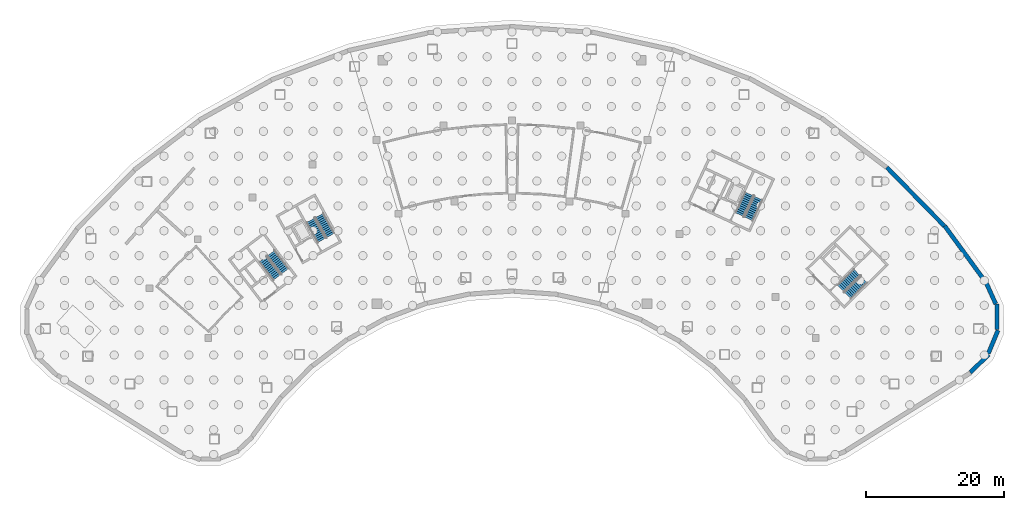
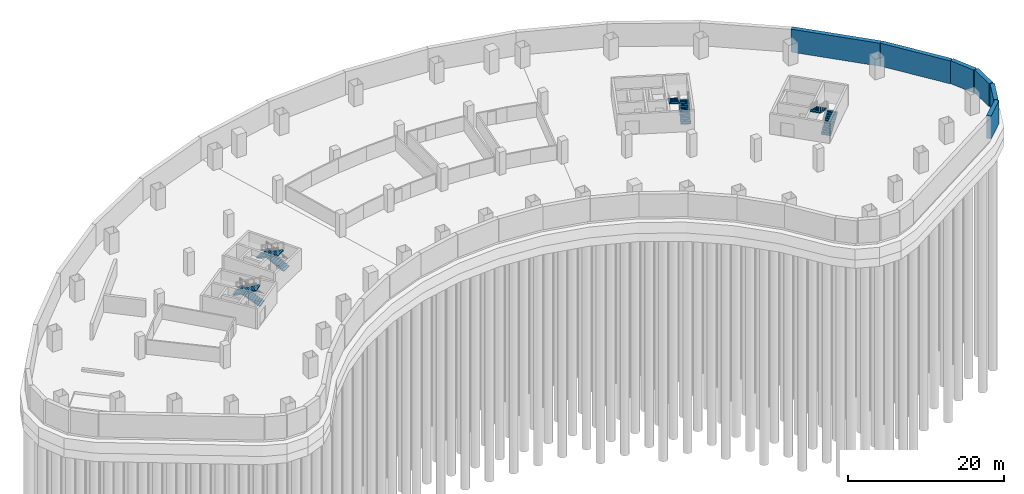
# One storey, part 8 of 10: 8 stair flights, 6 walls, 4 elements without a shape of their own.
"""IFC4 building model written with IfcOpenShell, lengths in metres."""

from ifc_helpers import new_model, si_unit, direction, frame, frame_2d, origin, place, context, subcontext, project, spatial, polyline, rectangle, outline, extrude, material, layer, layer_set, type_object, element, aggregate, save


model = new_model("IFC4")

# Units and contexts
model_context = context("Model", 3, precision=1e-05, world=origin(), true_north=direction((0.0, 1.0)))
body_context = subcontext(model_context, "Body", "Model", "MODEL_VIEW")
ifc_project = project(units=[si_unit("LENGTHUNIT", "METRE"), si_unit("AREAUNIT", "SQUARE_METRE"), si_unit("VOLUMEUNIT", "CUBIC_METRE"), si_unit("PLANEANGLEUNIT", "RADIAN"), si_unit("MASSUNIT", "GRAM", prefix="KILO")], contexts=[model_context])

# Site, building, storey
site_placement = place(None, origin())
site = spatial("IfcSite", under=ifc_project, at=site_placement, CompositionType="ELEMENT")
building_placement = place(site_placement, origin())
building = spatial("IfcBuilding", under=site, at=building_placement, Name="Tuul Gate Civic Tower", CompositionType="ELEMENT")
storey_placement = place(building_placement, frame((0.0, 0.0, -11.699951171875)))
storey = spatial("IfcBuildingStorey", under=building, at=storey_placement, Name="Basement 3", CompositionType="ELEMENT", Elevation=-11.699951171875)

# Walls
ifc_material_1 = material(Name="Concrete C40/50", Category="concrete")
ifc_layer = layer(ifc_material_1, 0.60009765625)
ifc_layer_set = layer_set([ifc_layer], Name="Concrete C40/50")
wall_type = type_object("IfcWallType", Name="STR-BASEMENT-WALL-600", PredefinedType="SOLIDWALL", material=ifc_layer_set)
wall_1_placement = place(storey_placement, frame((66.369140625, -27.698486328125, 0.0), z_axis=(0.0, 0.0, 1.0), x_axis=(0.722172464987, 0.691713040801, 0.0)))
element("IfcWall", 1, at=wall_1_placement, inside=storey, type_object=wall_type, Name="Retaining wall", PredefinedType="SOLIDWALL", context=body_context, shape_type="SweptSolid", body=[
    extrude(rectangle(XDim=3.695068359375, YDim=0.60009765625, at=frame_2d((1.84765625, 0.0))), origin(), (0.0, 0.0, 1.0), 3.599853515625),
])
wall_2_placement = place(storey_placement, frame((68.973876953125, -24.984619140625, 0.0), z_axis=(0.0, 0.0, 1.0), x_axis=(0.38582474077, 0.922572094424, 0.0)))
element("IfcWall", 2, at=wall_2_placement, inside=storey, type_object=wall_type, Name="Retaining wall", PredefinedType="SOLIDWALL", context=body_context, shape_type="SweptSolid", body=[
    extrude(rectangle(XDim=3.654296875, YDim=0.60009765625, at=frame_2d((1.8271484375, 0.0))), origin(), (0.0, 0.0, 1.0), 3.599853515625),
])
wall_3_placement = place(storey_placement, frame((70.26220703125, -21.494140625, 0.0), z_axis=(0.0, 0.0, 1.0), x_axis=(-0.014359617427, 0.999896895378, 0.0)))
element("IfcWall", 3, at=wall_3_placement, inside=storey, type_object=wall_type, Name="Retaining wall", PredefinedType="SOLIDWALL", context=body_context, shape_type="SweptSolid", body=[
    extrude(rectangle(XDim=3.655517578125, YDim=0.60009765625, at=frame_2d((1.82763671875, 0.0))), origin(), (0.0, 0.0, 1.0), 3.599853515625),
])
wall_4_placement = place(storey_placement, frame((70.050537109375, -17.7783203125, 0.0), z_axis=(0.0, 0.0, 1.0), x_axis=(-0.413012649276, 0.910725288733, 0.0)))
element("IfcWall", 4, at=wall_4_placement, inside=storey, type_object=wall_type, Name="Retaining wall", PredefinedType="SOLIDWALL", context=body_context, shape_type="SweptSolid", body=[
    extrude(rectangle(XDim=3.65478515625, YDim=0.60009765625, at=frame_2d((1.827392578125, 0.0))), origin(), (0.0, 0.0, 1.0), 3.599853515625),
])
wall_5_placement = place(storey_placement, frame((68.454833984375, -14.435302734375, 0.0), z_axis=(0.0, 0.0, 1.0), x_axis=(-0.58971390071, 0.807612230783, 0.0)))
element("IfcWall", 5, at=wall_5_placement, inside=storey, type_object=wall_type, Name="Retaining wall", PredefinedType="SOLIDWALL", context=body_context, shape_type="SweptSolid", body=[
    extrude(rectangle(XDim=9.82958984375, YDim=0.60009765625, at=frame_2d((4.914794921875, 0.0))), origin(), (0.0, 0.0, 1.0), 3.599853515625),
])
wall_6_placement = place(storey_placement, frame((62.595947265625, -6.4951171875, 0.0), z_axis=(0.0, 0.0, 1.0), x_axis=(-0.70006297283, 0.71408111169, 0.0)))
element("IfcWall", 6, at=wall_6_placement, inside=storey, type_object=wall_type, Name="Retaining wall", PredefinedType="SOLIDWALL", context=body_context, shape_type="SweptSolid", body=[
    extrude(rectangle(XDim=11.8603515625, YDim=0.60009765625, at=frame_2d((5.93017578125, 0.0))), origin(), (0.0, 0.0, 1.0), 3.599853515625),
])

# Stair, stair flights
ifc_material_2 = material(Name="Concrete C40/50", Category="concrete")
stair_type = type_object("IfcStairType", Name="Exit stair", PredefinedType="HALF_TURN_STAIR", material=ifc_material_2)
stair_1_placement = place(storey_placement, origin())
stair_1 = element("IfcStair", 7, at=stair_1_placement, inside=storey, type_object=stair_type, Name="Basement 3 ST-1", PredefinedType="HALF_TURN_STAIR")
ifc_material_3 = material(Name="Concrete C40/50", Category="concrete")
stair_flight_type = type_object("IfcStairFlightType", Name="Exit stair flight", PredefinedType="STRAIGHT", material=ifc_material_3)
stair_flight_1_placement = place(storey_placement, frame((-32.875244140625, -13.066650390625, 0.0), z_axis=(0.0, 0.0, 1.0), x_axis=(-0.605764474941, 0.795644016442, 0.0)))
stair_flight_1 = element("IfcStairFlight", 8, at=stair_flight_1_placement, type_object=stair_flight_type, Name="ST-1 flight 1", NumberOfRisers=12, NumberOfTreads=11, PredefinedType="STRAIGHT", RiserHeight=0.15, TreadLength=0.3, context=body_context, shape_type="SweptSolid", body=[
    extrude(outline(polyline([(0.0, 0.0), (0.0, 0.14990234375), (0.300048828125, 0.14990234375), (0.300048828125, 0.300048828125), (0.60009765625, 0.300048828125), (0.60009765625, 0.449951171875), (0.89990234375, 0.449951171875), (0.89990234375, 0.60009765625), (1.199951171875, 0.60009765625), (1.199951171875, 0.75), (1.5, 0.75), (1.5, 0.89990234375), (1.800048828125, 0.89990234375), (1.800048828125, 1.050048828125), (2.10009765625, 1.050048828125), (2.10009765625, 1.199951171875), (2.39990234375, 1.199951171875), (2.39990234375, 1.35009765625), (2.699951171875, 1.35009765625), (2.699951171875, 1.5), (3.0, 1.5), (3.0, 1.64990234375), (3.300048828125, 1.64990234375), (3.300048828125, 1.800048828125), (3.300048828125, 1.482421875), (0.335205078125, 0.0), (0.0, 0.0)])), frame((0.0, 0.675048828125, 0.0), z_axis=(0.0, -1.0, 0.0), x_axis=(1.0, 0.0, 0.0)), (0.0, 0.0, 1.0), 1.35009765625),
])
stair_flight_2_placement = place(storey_placement, frame((-36.02783203125, -11.319580078125, 1.800048828125), z_axis=(0.0, 0.0, 1.0), x_axis=(0.605764474941, -0.795644016442, 0.0)))
stair_flight_2 = element("IfcStairFlight", 9, at=stair_flight_2_placement, type_object=stair_flight_type, Name="ST-1 flight 2", NumberOfRisers=12, NumberOfTreads=11, PredefinedType="STRAIGHT", RiserHeight=0.15, TreadLength=0.3, context=body_context, shape_type="SweptSolid", body=[
    extrude(outline(polyline([(0.0, 0.0), (0.0, 0.14990234375), (0.300048828125, 0.14990234375), (0.300048828125, 0.300048828125), (0.60009765625, 0.300048828125), (0.60009765625, 0.449951171875), (0.89990234375, 0.449951171875), (0.89990234375, 0.60009765625), (1.199951171875, 0.60009765625), (1.199951171875, 0.75), (1.5, 0.75), (1.5, 0.89990234375), (1.800048828125, 0.89990234375), (1.800048828125, 1.050048828125), (2.10009765625, 1.050048828125), (2.10009765625, 1.199951171875), (2.39990234375, 1.199951171875), (2.39990234375, 1.35009765625), (2.699951171875, 1.35009765625), (2.699951171875, 1.5), (3.0, 1.5), (3.0, 1.64990234375), (3.300048828125, 1.64990234375), (3.300048828125, 1.800048828125), (3.300048828125, 1.482421875), (0.335205078125, 0.0), (0.0, 0.0)])), frame((0.0, 0.675048828125, 0.0), z_axis=(0.0, -1.0, 0.0), x_axis=(1.0, 0.0, 0.0)), (0.0, 0.0, 1.0), 1.35009765625),
])
aggregate(stair_1, [stair_flight_1, stair_flight_2])

stair_2_placement = place(storey_placement, origin())
stair_2 = element("IfcStair", 10, at=stair_2_placement, inside=storey, type_object=stair_type, Name="Basement 3 ST-2", PredefinedType="HALF_TURN_STAIR")
stair_flight_3_placement = place(storey_placement, frame((-26.29150390625, -7.87646484375, 0.0), z_axis=(0.0, 0.0, 1.0), x_axis=(-0.484761763766, 0.874646232708, 0.0)))
stair_flight_3 = element("IfcStairFlight", 11, at=stair_flight_3_placement, type_object=stair_flight_type, Name="ST-2 flight 1", NumberOfRisers=12, NumberOfTreads=11, PredefinedType="STRAIGHT", RiserHeight=0.15, TreadLength=0.3, context=body_context, shape_type="SweptSolid", body=[
    extrude(outline(polyline([(0.0, 0.0), (0.0, 0.14990234375), (0.300048828125, 0.14990234375), (0.300048828125, 0.300048828125), (0.60009765625, 0.300048828125), (0.60009765625, 0.449951171875), (0.89990234375, 0.449951171875), (0.89990234375, 0.60009765625), (1.199951171875, 0.60009765625), (1.199951171875, 0.75), (1.5, 0.75), (1.5, 0.89990234375), (1.800048828125, 0.89990234375), (1.800048828125, 1.050048828125), (2.10009765625, 1.050048828125), (2.10009765625, 1.199951171875), (2.39990234375, 1.199951171875), (2.39990234375, 1.35009765625), (2.699951171875, 1.35009765625), (2.699951171875, 1.5), (3.0, 1.5), (3.0, 1.64990234375), (3.300048828125, 1.64990234375), (3.300048828125, 1.800048828125), (3.300048828125, 1.482421875), (0.335205078125, 0.0), (0.0, 0.0)])), frame((0.0, 0.675048828125, 0.0), z_axis=(0.0, -1.0, 0.0), x_axis=(1.0, 0.0, 0.0)), (0.0, 0.0, 1.0), 1.35009765625),
])
stair_flight_4_placement = place(storey_placement, frame((-29.15966796875, -5.693115234375, 1.800048828125), z_axis=(0.0, 0.0, 1.0), x_axis=(0.484761763766, -0.874646232708, 0.0)))
stair_flight_4 = element("IfcStairFlight", 12, at=stair_flight_4_placement, type_object=stair_flight_type, Name="ST-2 flight 2", NumberOfRisers=12, NumberOfTreads=11, PredefinedType="STRAIGHT", RiserHeight=0.15, TreadLength=0.3, context=body_context, shape_type="SweptSolid", body=[
    extrude(outline(polyline([(0.0, 0.0), (0.0, 0.14990234375), (0.300048828125, 0.14990234375), (0.300048828125, 0.300048828125), (0.60009765625, 0.300048828125), (0.60009765625, 0.449951171875), (0.89990234375, 0.449951171875), (0.89990234375, 0.60009765625), (1.199951171875, 0.60009765625), (1.199951171875, 0.75), (1.5, 0.75), (1.5, 0.89990234375), (1.800048828125, 0.89990234375), (1.800048828125, 1.050048828125), (2.10009765625, 1.050048828125), (2.10009765625, 1.199951171875), (2.39990234375, 1.199951171875), (2.39990234375, 1.35009765625), (2.699951171875, 1.35009765625), (2.699951171875, 1.5), (3.0, 1.5), (3.0, 1.64990234375), (3.300048828125, 1.64990234375), (3.300048828125, 1.800048828125), (3.300048828125, 1.482421875), (0.335205078125, 0.0), (0.0, 0.0)])), frame((0.0, 0.675048828125, 0.0), z_axis=(0.0, -1.0, 0.0), x_axis=(1.0, 0.0, 0.0)), (0.0, 0.0, 1.0), 1.35009765625),
])
aggregate(stair_2, [stair_flight_3, stair_flight_4])

stair_3_placement = place(storey_placement, origin())
stair_3 = element("IfcStair", 13, at=stair_3_placement, inside=storey, type_object=stair_type, Name="Basement 3 ST-3", PredefinedType="HALF_TURN_STAIR")
stair_flight_5_placement = place(storey_placement, frame((48.61376953125, -16.581787109375, 0.0), z_axis=(0.0, 0.0, 1.0), x_axis=(0.714127290059, 0.700015866672, 0.0)))
stair_flight_5 = element("IfcStairFlight", 14, at=stair_flight_5_placement, type_object=stair_flight_type, Name="ST-3 flight 1", NumberOfRisers=12, NumberOfTreads=11, PredefinedType="STRAIGHT", RiserHeight=0.15, TreadLength=0.3, context=body_context, shape_type="SweptSolid", body=[
    extrude(outline(polyline([(0.0, 0.0), (0.0, 0.14990234375), (0.300048828125, 0.14990234375), (0.300048828125, 0.300048828125), (0.60009765625, 0.300048828125), (0.60009765625, 0.449951171875), (0.89990234375, 0.449951171875), (0.89990234375, 0.60009765625), (1.199951171875, 0.60009765625), (1.199951171875, 0.75), (1.5, 0.75), (1.5, 0.89990234375), (1.800048828125, 0.89990234375), (1.800048828125, 1.050048828125), (2.10009765625, 1.050048828125), (2.10009765625, 1.199951171875), (2.39990234375, 1.199951171875), (2.39990234375, 1.35009765625), (2.699951171875, 1.35009765625), (2.699951171875, 1.5), (3.0, 1.5), (3.0, 1.64990234375), (3.300048828125, 1.64990234375), (3.300048828125, 1.800048828125), (3.300048828125, 1.482421875), (0.335205078125, 0.0), (0.0, 0.0)])), frame((0.0, 0.675048828125, 0.0), z_axis=(0.0, -1.0, 0.0), x_axis=(1.0, 0.0, 0.0)), (0.0, 0.0, 1.0), 1.35009765625),
])
stair_flight_6_placement = place(storey_placement, frame((49.955322265625, -13.236083984375, 1.800048828125), z_axis=(0.0, 0.0, 1.0), x_axis=(-0.714127290059, -0.700015866672, 0.0)))
stair_flight_6 = element("IfcStairFlight", 15, at=stair_flight_6_placement, type_object=stair_flight_type, Name="ST-3 flight 2", NumberOfRisers=12, NumberOfTreads=11, PredefinedType="STRAIGHT", RiserHeight=0.15, TreadLength=0.3, context=body_context, shape_type="SweptSolid", body=[
    extrude(outline(polyline([(0.0, 0.0), (0.0, 0.14990234375), (0.300048828125, 0.14990234375), (0.300048828125, 0.300048828125), (0.60009765625, 0.300048828125), (0.60009765625, 0.449951171875), (0.89990234375, 0.449951171875), (0.89990234375, 0.60009765625), (1.199951171875, 0.60009765625), (1.199951171875, 0.75), (1.5, 0.75), (1.5, 0.89990234375), (1.800048828125, 0.89990234375), (1.800048828125, 1.050048828125), (2.10009765625, 1.050048828125), (2.10009765625, 1.199951171875), (2.39990234375, 1.199951171875), (2.39990234375, 1.35009765625), (2.699951171875, 1.35009765625), (2.699951171875, 1.5), (3.0, 1.5), (3.0, 1.64990234375), (3.300048828125, 1.64990234375), (3.300048828125, 1.800048828125), (3.300048828125, 1.482421875), (0.335205078125, 0.0), (0.0, 0.0)])), frame((0.0, 0.675048828125, 0.0), z_axis=(0.0, -1.0, 0.0), x_axis=(1.0, 0.0, 0.0)), (0.0, 0.0, 1.0), 1.35009765625),
])
aggregate(stair_3, [stair_flight_5, stair_flight_6])

stair_4_placement = place(storey_placement, origin())
stair_4 = element("IfcStair", 16, at=stair_4_placement, inside=storey, type_object=stair_type, Name="Basement 3 ST-4", PredefinedType="HALF_TURN_STAIR")
stair_flight_7_placement = place(storey_placement, frame((34.278564453125, -5.478515625, 0.0), z_axis=(0.0, 0.0, 1.0), x_axis=(0.422576295988, 0.906327354806, 0.0)))
stair_flight_7 = element("IfcStairFlight", 17, at=stair_flight_7_placement, type_object=stair_flight_type, Name="ST-4 flight 1", NumberOfRisers=12, NumberOfTreads=11, PredefinedType="STRAIGHT", RiserHeight=0.15, TreadLength=0.3, context=body_context, shape_type="SweptSolid", body=[
    extrude(outline(polyline([(0.0, 0.0), (0.0, 0.14990234375), (0.300048828125, 0.14990234375), (0.300048828125, 0.300048828125), (0.60009765625, 0.300048828125), (0.60009765625, 0.449951171875), (0.89990234375, 0.449951171875), (0.89990234375, 0.60009765625), (1.199951171875, 0.60009765625), (1.199951171875, 0.75), (1.5, 0.75), (1.5, 0.89990234375), (1.800048828125, 0.89990234375), (1.800048828125, 1.050048828125), (2.10009765625, 1.050048828125), (2.10009765625, 1.199951171875), (2.39990234375, 1.199951171875), (2.39990234375, 1.35009765625), (2.699951171875, 1.35009765625), (2.699951171875, 1.5), (3.0, 1.5), (3.0, 1.64990234375), (3.300048828125, 1.64990234375), (3.300048828125, 1.800048828125), (3.300048828125, 1.482421875), (0.335205078125, 0.0), (0.0, 0.0)])), frame((0.0, 0.675048828125, 0.0), z_axis=(0.0, -1.0, 0.0), x_axis=(1.0, 0.0, 0.0)), (0.0, 0.0, 1.0), 1.35009765625),
])
stair_flight_8_placement = place(storey_placement, frame((34.35888671875, -1.875, 1.800048828125), z_axis=(0.0, 0.0, 1.0), x_axis=(-0.422576295988, -0.906327354806, 0.0)))
stair_flight_8 = element("IfcStairFlight", 18, at=stair_flight_8_placement, type_object=stair_flight_type, Name="ST-4 flight 2", NumberOfRisers=12, NumberOfTreads=11, PredefinedType="STRAIGHT", RiserHeight=0.15, TreadLength=0.3, context=body_context, shape_type="SweptSolid", body=[
    extrude(outline(polyline([(0.0, 0.0), (0.0, 0.14990234375), (0.300048828125, 0.14990234375), (0.300048828125, 0.300048828125), (0.60009765625, 0.300048828125), (0.60009765625, 0.449951171875), (0.89990234375, 0.449951171875), (0.89990234375, 0.60009765625), (1.199951171875, 0.60009765625), (1.199951171875, 0.75), (1.5, 0.75), (1.5, 0.89990234375), (1.800048828125, 0.89990234375), (1.800048828125, 1.050048828125), (2.10009765625, 1.050048828125), (2.10009765625, 1.199951171875), (2.39990234375, 1.199951171875), (2.39990234375, 1.35009765625), (2.699951171875, 1.35009765625), (2.699951171875, 1.5), (3.0, 1.5), (3.0, 1.64990234375), (3.300048828125, 1.64990234375), (3.300048828125, 1.800048828125), (3.300048828125, 1.482421875), (0.335205078125, 0.0), (0.0, 0.0)])), frame((0.0, 0.675048828125, 0.0), z_axis=(0.0, -1.0, 0.0), x_axis=(1.0, 0.0, 0.0)), (0.0, 0.0, 1.0), 1.35009765625),
])
aggregate(stair_4, [stair_flight_7, stair_flight_8])

save(model, "model.ifc")
